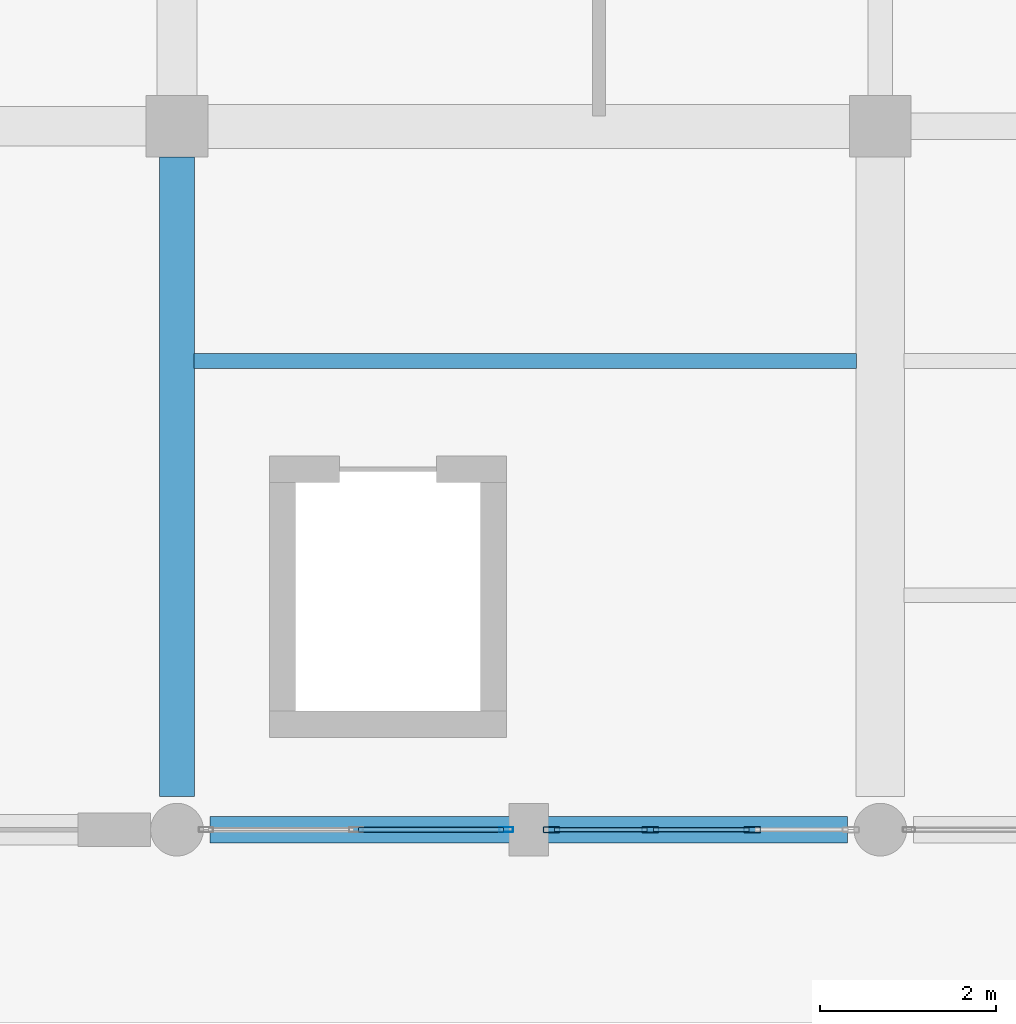
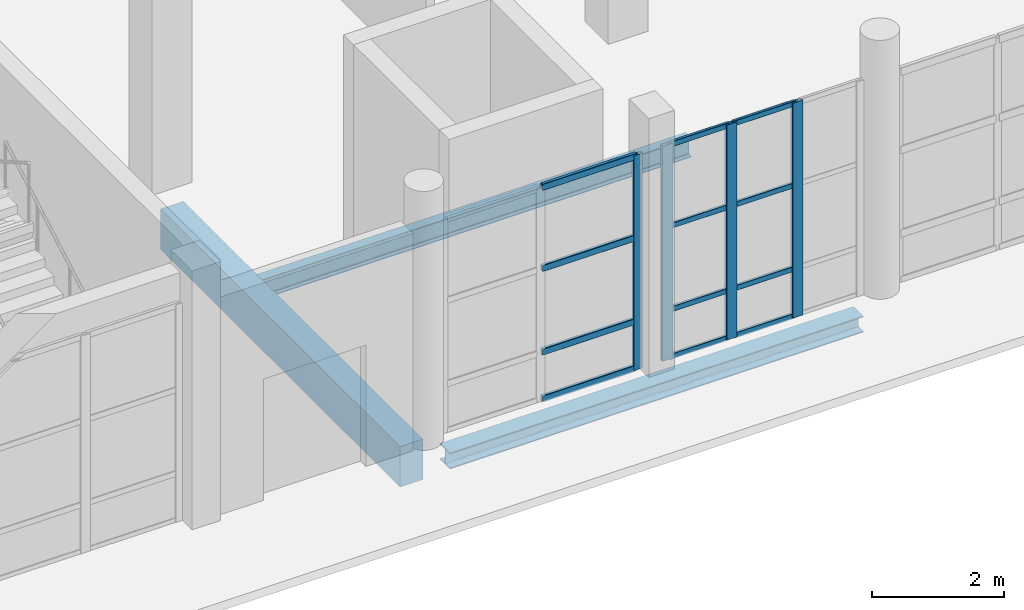
# One storey, part 4 of 156: 16 members, 3 beams, 2 elements without a shape of their own.
"""IFC4 building model written with IfcOpenShell, lengths in metres."""

from ifc_helpers import new_model, si_unit, direction, frame, origin, origin_2d, place, context, subcontext, project, spatial, rectangle, hollow_rectangle, i_section, extrude, material, material_profile, profile_set, type_object, element, aggregate, save


model = new_model("IFC4")

# Units and contexts
model_context = context("Model", 3, precision=1e-05, world=origin(), true_north=direction((0.0, 1.0)))
body_context = subcontext(model_context, "Body", "Model", "MODEL_VIEW")
ifc_project = project(units=[si_unit("LENGTHUNIT", "METRE"), si_unit("AREAUNIT", "SQUARE_METRE"), si_unit("VOLUMEUNIT", "CUBIC_METRE"), si_unit("PLANEANGLEUNIT", "RADIAN"), si_unit("MASSUNIT", "GRAM", prefix="KILO")], contexts=[model_context])

# Site, building, storey
site_placement = place(None, origin())
site = spatial("IfcSite", under=ifc_project, at=site_placement, CompositionType="ELEMENT")
building_placement = place(site_placement, origin())
building = spatial("IfcBuilding", under=site, at=building_placement, Name="Luwemba Playhouse", CompositionType="ELEMENT")
storey_placement = place(building_placement, origin())
storey = spatial("IfcBuildingStorey", under=building, at=storey_placement, Name="L00", CompositionType="ELEMENT", Elevation=0.0)

# Beams
ifc_material_1 = material(Name="Concrete C40/50", Category="concrete")
ifc_material_profile_1 = material_profile(ifc_material_1, rectangle(XDim=0.39990234375, YDim=0.75, at=origin_2d()))
ifc_profile_set_1 = profile_set([ifc_material_profile_1], Name="Concrete C40/50")
beam_type_1 = type_object("IfcBeamType", Name="BM-RB03", PredefinedType="BEAM", material=ifc_profile_set_1)
beam_1_placement = place(storey_placement, frame((12.0, 3.375, -0.675048828125), z_axis=(0.0, 1.0, 0.0), x_axis=(-1.0, 0.0, 0.0)))
element("IfcBeam", 1, at=beam_1_placement, inside=storey, type_object=beam_type_1, Name="L00 transverse girder 0181", PredefinedType="BEAM", context=body_context, shape_type="SweptSolid", body=[
    extrude(rectangle(XDim=0.39990234375, YDim=0.75, at=origin_2d()), origin(), (0.0, 0.0, 1.0), 7.27490234375),
])
ifc_material_2 = material(Name="Steel S355", Category="steel")
ifc_material_profile_2 = material_profile(ifc_material_2, i_section(OverallWidth=0.169921875, OverallDepth=0.360107421875, WebThickness=0.008056640625, FlangeThickness=0.0126953125, FilletRadius=0.01806640625, at=origin_2d()))
ifc_profile_set_2 = profile_set([ifc_material_profile_2], Name="Steel S355")
beam_type_2 = type_object("IfcBeamType", Name="BM-SJ07", PredefinedType="JOIST", material=ifc_profile_set_2)
beam_2_placement = place(storey_placement, frame((12.196044921875, 8.333251953125, -0.47998046875), z_axis=(1.0, 0.0, 0.0), x_axis=(0.0, 1.0, 0.0)))
element("IfcBeam", 2, at=beam_2_placement, inside=storey, type_object=beam_type_2, Name="L00 composite floor joist 0123", PredefinedType="JOIST", context=body_context, shape_type="SweptSolid", body=[
    extrude(i_section(OverallWidth=0.169921875, OverallDepth=0.360107421875, WebThickness=0.008056640625, FlangeThickness=0.0126953125, FilletRadius=0.01806640625, at=origin_2d()), origin(), (0.0, 0.0, 1.0), 7.532958984375),
])
ifc_material_profile_3 = material_profile(ifc_material_2, i_section(OverallWidth=0.300048828125, OverallDepth=0.300048828125, WebThickness=0.010986328125, FlangeThickness=0.01904296875, FilletRadius=0.027099609375, at=origin_2d()))
ifc_profile_set_3 = profile_set([ifc_material_profile_3], Name="Steel S355")
beam_type_3 = type_object("IfcBeamType", Name="BM-SSP1", PredefinedType="SPANDREL", material=ifc_profile_set_3)
beam_3_placement = place(storey_placement, frame((12.375, 3.0, -0.449951171875), z_axis=(1.0, 0.0, 0.0), x_axis=(0.0, 1.0, 0.0)))
element("IfcBeam", 3, at=beam_3_placement, inside=storey, type_object=beam_type_3, Name="L00 grid girder 0151", PredefinedType="SPANDREL", context=body_context, shape_type="SweptSolid", body=[
    extrude(i_section(OverallWidth=0.300048828125, OverallDepth=0.300048828125, WebThickness=0.010986328125, FlangeThickness=0.01904296875, FilletRadius=0.027099609375, at=origin_2d()), origin(), (0.0, 0.0, 1.0), 7.25),
])

# Curtain wall, member
ifc_material_3 = material(Name="Solar-control double glazing", Category="glass")
curtain_wall_type_1 = type_object("IfcCurtainWallType", Name="CW-CW11", PredefinedType="USERDEFINED", material=ifc_material_3)
curtain_wall_1_placement = place(storey_placement, origin())
curtain_wall_1 = element("IfcCurtainWall", 4, at=curtain_wall_1_placement, inside=storey, type_object=curtain_wall_type_1, Name="L00 V5W unitised curtain wall 051", ObjectType="UNITISED GLAZING", PredefinedType="USERDEFINED")
ifc_material_4 = material(Name="Aluminium 6063-T6", Category="aluminium")
ifc_material_profile_4 = material_profile(ifc_material_4, hollow_rectangle(XDim=0.06005859375, YDim=0.159912109375, WallThickness=0.00390625, InnerFilletRadius=0.006103515625, OuterFilletRadius=0.010009765625, at=origin_2d()))
ifc_profile_set_4 = profile_set([ifc_material_profile_4], Name="Aluminium 6063-T6")
member_type_1 = type_object("IfcMemberType", Name="CWM-M1", PredefinedType="MULLION", material=ifc_profile_set_4)
member_1_placement = place(storey_placement, frame((15.7451171875, 3.0, 0.0), z_axis=(0.0, 0.0, 1.0), x_axis=(0.0, -1.0, 0.0)))
member_1 = element("IfcMember", 5, at=member_1_placement, type_object=member_type_1, Name="CW11 mullion 1", PredefinedType="MULLION", context=body_context, shape_type="SweptSolid", body=[
    extrude(hollow_rectangle(XDim=0.06005859375, YDim=0.159912109375, WallThickness=0.00390625, InnerFilletRadius=0.006103515625, OuterFilletRadius=0.010009765625, at=origin_2d()), origin(), (0.0, 0.0, 1.0), 3.985107421875),
])

# Curtain wall, members
curtain_wall_type_2 = type_object("IfcCurtainWallType", Name="CW-CW42", PredefinedType="USERDEFINED", material=ifc_material_3)
curtain_wall_2_placement = place(storey_placement, origin())
curtain_wall_2 = element("IfcCurtainWall", 6, at=curtain_wall_2_placement, inside=storey, type_object=curtain_wall_type_2, Name="L00 V5W unitised curtain wall 050", ObjectType="UNITISED GLAZING", PredefinedType="USERDEFINED")
ifc_material_profile_5 = material_profile(ifc_material_4, hollow_rectangle(XDim=0.070068359375, YDim=0.18994140625, WallThickness=0.0048828125, InnerFilletRadius=0.007568359375, OuterFilletRadius=0.012451171875, at=origin_2d()))
ifc_profile_set_5 = profile_set([ifc_material_profile_5], Name="Aluminium 6063-T6")
member_type_2 = type_object("IfcMemberType", Name="CWM-M4", PredefinedType="MULLION", material=ifc_profile_set_5)
member_2_placement = place(storey_placement, frame((18.541748046875, 3.0, 0.0), z_axis=(0.0, 0.0, 1.0), x_axis=(0.0, -1.0, 0.0)))
member_2 = element("IfcMember", 7, at=member_2_placement, type_object=member_type_2, Name="CW42 mullion 2", PredefinedType="MULLION", context=body_context, shape_type="SweptSolid", body=[
    extrude(hollow_rectangle(XDim=0.070068359375, YDim=0.18994140625, WallThickness=0.0048828125, InnerFilletRadius=0.007568359375, OuterFilletRadius=0.012451171875, at=origin_2d()), origin(), (0.0, 0.0, 1.0), 3.985107421875),
])
member_3_placement = place(storey_placement, frame((17.38330078125, 3.0, 0.0), z_axis=(0.0, 0.0, 1.0), x_axis=(0.0, -1.0, 0.0)))
member_3 = element("IfcMember", 8, at=member_3_placement, type_object=member_type_2, Name="CW42 mullion 3", PredefinedType="MULLION", context=body_context, shape_type="SweptSolid", body=[
    extrude(hollow_rectangle(XDim=0.070068359375, YDim=0.18994140625, WallThickness=0.0048828125, InnerFilletRadius=0.007568359375, OuterFilletRadius=0.012451171875, at=origin_2d()), origin(), (0.0, 0.0, 1.0), 3.985107421875),
])
member_4_placement = place(storey_placement, frame((16.260009765625, 3.0, 0.0), z_axis=(0.0, 0.0, 1.0), x_axis=(0.0, -1.0, 0.0)))
member_4 = element("IfcMember", 9, at=member_4_placement, type_object=member_type_2, Name="CW42 mullion 4", PredefinedType="MULLION", context=body_context, shape_type="SweptSolid", body=[
    extrude(hollow_rectangle(XDim=0.070068359375, YDim=0.18994140625, WallThickness=0.0048828125, InnerFilletRadius=0.007568359375, OuterFilletRadius=0.012451171875, at=origin_2d()), origin(), (0.0, 0.0, 1.0), 3.985107421875),
])

# Member
ifc_material_profile_6 = material_profile(ifc_material_4, hollow_rectangle(XDim=0.06005859375, YDim=0.1201171875, WallThickness=0.00390625, InnerFilletRadius=0.006103515625, OuterFilletRadius=0.010009765625, at=origin_2d()))
ifc_profile_set_6 = profile_set([ifc_material_profile_6], Name="Aluminium 6063-T6")
member_type_3 = type_object("IfcMemberType", Name="CWT-T1", PredefinedType="USERDEFINED", material=ifc_profile_set_6)
member_5_placement = place(storey_placement, frame((15.715087890625, 3.0, 0.030029296875), z_axis=(-1.0, 0.0, 0.0), x_axis=(0.0, -1.0, 0.0)))
member_5 = element("IfcMember", 10, at=member_5_placement, type_object=member_type_3, Name="CW11 transom 1.1", ObjectType="TRANSOM", PredefinedType="USERDEFINED", context=body_context, shape_type="SweptSolid", body=[
    extrude(hollow_rectangle(XDim=0.06005859375, YDim=0.1201171875, WallThickness=0.00390625, InnerFilletRadius=0.006103515625, OuterFilletRadius=0.010009765625, at=origin_2d()), origin(), (0.0, 0.0, 1.0), 1.647705078125),
])

member_6_placement = place(storey_placement, frame((15.715087890625, 3.0, 0.89990234375), z_axis=(-1.0, 0.0, 0.0), x_axis=(0.0, -1.0, 0.0)))
member_6 = element("IfcMember", 11, at=member_6_placement, type_object=member_type_3, Name="CW11 transom 1.2", ObjectType="TRANSOM", PredefinedType="USERDEFINED", context=body_context, shape_type="SweptSolid", body=[
    extrude(hollow_rectangle(XDim=0.06005859375, YDim=0.1201171875, WallThickness=0.00390625, InnerFilletRadius=0.006103515625, OuterFilletRadius=0.010009765625, at=origin_2d()), origin(), (0.0, 0.0, 1.0), 1.647705078125),
])

member_7_placement = place(storey_placement, frame((15.715087890625, 3.0, 2.449951171875), z_axis=(-1.0, 0.0, 0.0), x_axis=(0.0, -1.0, 0.0)))
member_7 = element("IfcMember", 12, at=member_7_placement, type_object=member_type_3, Name="CW11 transom 1.3", ObjectType="TRANSOM", PredefinedType="USERDEFINED", context=body_context, shape_type="SweptSolid", body=[
    extrude(hollow_rectangle(XDim=0.06005859375, YDim=0.1201171875, WallThickness=0.00390625, InnerFilletRadius=0.006103515625, OuterFilletRadius=0.010009765625, at=origin_2d()), origin(), (0.0, 0.0, 1.0), 1.647705078125),
])

member_8_placement = place(storey_placement, frame((15.715087890625, 3.0, 3.955078125), z_axis=(-1.0, 0.0, 0.0), x_axis=(0.0, -1.0, 0.0)))
member_8 = element("IfcMember", 13, at=member_8_placement, type_object=member_type_3, Name="CW11 transom 1.4", ObjectType="TRANSOM", PredefinedType="USERDEFINED", context=body_context, shape_type="SweptSolid", body=[
    extrude(hollow_rectangle(XDim=0.06005859375, YDim=0.1201171875, WallThickness=0.00390625, InnerFilletRadius=0.006103515625, OuterFilletRadius=0.010009765625, at=origin_2d()), origin(), (0.0, 0.0, 1.0), 1.647705078125),
])

aggregate(curtain_wall_1, [member_1, member_5, member_6, member_7, member_8])

ifc_material_profile_7 = material_profile(ifc_material_4, hollow_rectangle(XDim=0.050048828125, YDim=0.10009765625, WallThickness=0.00341796875, InnerFilletRadius=0.00537109375, OuterFilletRadius=0.0087890625, at=origin_2d()))
ifc_profile_set_7 = profile_set([ifc_material_profile_7], Name="Aluminium 6063-T6")
member_type_4 = type_object("IfcMemberType", Name="CWT-T4", PredefinedType="USERDEFINED", material=ifc_profile_set_7)
member_9_placement = place(storey_placement, frame((18.506591796875, 3.0, 0.02490234375), z_axis=(-1.0, 0.0, 0.0), x_axis=(0.0, -1.0, 0.0)))
member_9 = element("IfcMember", 14, at=member_9_placement, type_object=member_type_4, Name="CW42 transom 2.1", ObjectType="TRANSOM", PredefinedType="USERDEFINED", context=body_context, shape_type="SweptSolid", body=[
    extrude(hollow_rectangle(XDim=0.050048828125, YDim=0.10009765625, WallThickness=0.00341796875, InnerFilletRadius=0.00537109375, OuterFilletRadius=0.0087890625, at=origin_2d()), origin(), (0.0, 0.0, 1.0), 1.08837890625),
])

member_10_placement = place(storey_placement, frame((18.506591796875, 3.0, 0.89990234375), z_axis=(-1.0, 0.0, 0.0), x_axis=(0.0, -1.0, 0.0)))
member_10 = element("IfcMember", 15, at=member_10_placement, type_object=member_type_4, Name="CW42 transom 2.2", ObjectType="TRANSOM", PredefinedType="USERDEFINED", context=body_context, shape_type="SweptSolid", body=[
    extrude(hollow_rectangle(XDim=0.050048828125, YDim=0.10009765625, WallThickness=0.00341796875, InnerFilletRadius=0.00537109375, OuterFilletRadius=0.0087890625, at=origin_2d()), origin(), (0.0, 0.0, 1.0), 1.08837890625),
])

member_11_placement = place(storey_placement, frame((18.506591796875, 3.0, 2.449951171875), z_axis=(-1.0, 0.0, 0.0), x_axis=(0.0, -1.0, 0.0)))
member_11 = element("IfcMember", 16, at=member_11_placement, type_object=member_type_4, Name="CW42 transom 2.3", ObjectType="TRANSOM", PredefinedType="USERDEFINED", context=body_context, shape_type="SweptSolid", body=[
    extrude(hollow_rectangle(XDim=0.050048828125, YDim=0.10009765625, WallThickness=0.00341796875, InnerFilletRadius=0.00537109375, OuterFilletRadius=0.0087890625, at=origin_2d()), origin(), (0.0, 0.0, 1.0), 1.08837890625),
])

member_12_placement = place(storey_placement, frame((18.506591796875, 3.0, 3.9599609375), z_axis=(-1.0, 0.0, 0.0), x_axis=(0.0, -1.0, 0.0)))
member_12 = element("IfcMember", 17, at=member_12_placement, type_object=member_type_4, Name="CW42 transom 2.4", ObjectType="TRANSOM", PredefinedType="USERDEFINED", context=body_context, shape_type="SweptSolid", body=[
    extrude(hollow_rectangle(XDim=0.050048828125, YDim=0.10009765625, WallThickness=0.00341796875, InnerFilletRadius=0.00537109375, OuterFilletRadius=0.0087890625, at=origin_2d()), origin(), (0.0, 0.0, 1.0), 1.08837890625),
])

member_13_placement = place(storey_placement, frame((17.348388671875, 3.0, 0.02490234375), z_axis=(-1.0, 0.0, 0.0), x_axis=(0.0, -1.0, 0.0)))
member_13 = element("IfcMember", 18, at=member_13_placement, type_object=member_type_4, Name="CW42 transom 3.1", ObjectType="TRANSOM", PredefinedType="USERDEFINED", context=body_context, shape_type="SweptSolid", body=[
    extrude(hollow_rectangle(XDim=0.050048828125, YDim=0.10009765625, WallThickness=0.00341796875, InnerFilletRadius=0.00537109375, OuterFilletRadius=0.0087890625, at=origin_2d()), origin(), (0.0, 0.0, 1.0), 1.053466796875),
])

member_14_placement = place(storey_placement, frame((17.348388671875, 3.0, 0.89990234375), z_axis=(-1.0, 0.0, 0.0), x_axis=(0.0, -1.0, 0.0)))
member_14 = element("IfcMember", 19, at=member_14_placement, type_object=member_type_4, Name="CW42 transom 3.2", ObjectType="TRANSOM", PredefinedType="USERDEFINED", context=body_context, shape_type="SweptSolid", body=[
    extrude(hollow_rectangle(XDim=0.050048828125, YDim=0.10009765625, WallThickness=0.00341796875, InnerFilletRadius=0.00537109375, OuterFilletRadius=0.0087890625, at=origin_2d()), origin(), (0.0, 0.0, 1.0), 1.053466796875),
])

member_15_placement = place(storey_placement, frame((17.348388671875, 3.0, 2.449951171875), z_axis=(-1.0, 0.0, 0.0), x_axis=(0.0, -1.0, 0.0)))
member_15 = element("IfcMember", 20, at=member_15_placement, type_object=member_type_4, Name="CW42 transom 3.3", ObjectType="TRANSOM", PredefinedType="USERDEFINED", context=body_context, shape_type="SweptSolid", body=[
    extrude(hollow_rectangle(XDim=0.050048828125, YDim=0.10009765625, WallThickness=0.00341796875, InnerFilletRadius=0.00537109375, OuterFilletRadius=0.0087890625, at=origin_2d()), origin(), (0.0, 0.0, 1.0), 1.053466796875),
])

member_16_placement = place(storey_placement, frame((17.348388671875, 3.0, 3.9599609375), z_axis=(-1.0, 0.0, 0.0), x_axis=(0.0, -1.0, 0.0)))
member_16 = element("IfcMember", 21, at=member_16_placement, type_object=member_type_4, Name="CW42 transom 3.4", ObjectType="TRANSOM", PredefinedType="USERDEFINED", context=body_context, shape_type="SweptSolid", body=[
    extrude(hollow_rectangle(XDim=0.050048828125, YDim=0.10009765625, WallThickness=0.00341796875, InnerFilletRadius=0.00537109375, OuterFilletRadius=0.0087890625, at=origin_2d()), origin(), (0.0, 0.0, 1.0), 1.053466796875),
])

aggregate(curtain_wall_2, [member_2, member_3, member_4, member_9, member_10, member_11, member_12, member_13, member_14, member_15, member_16])

save(model, "model.ifc")
